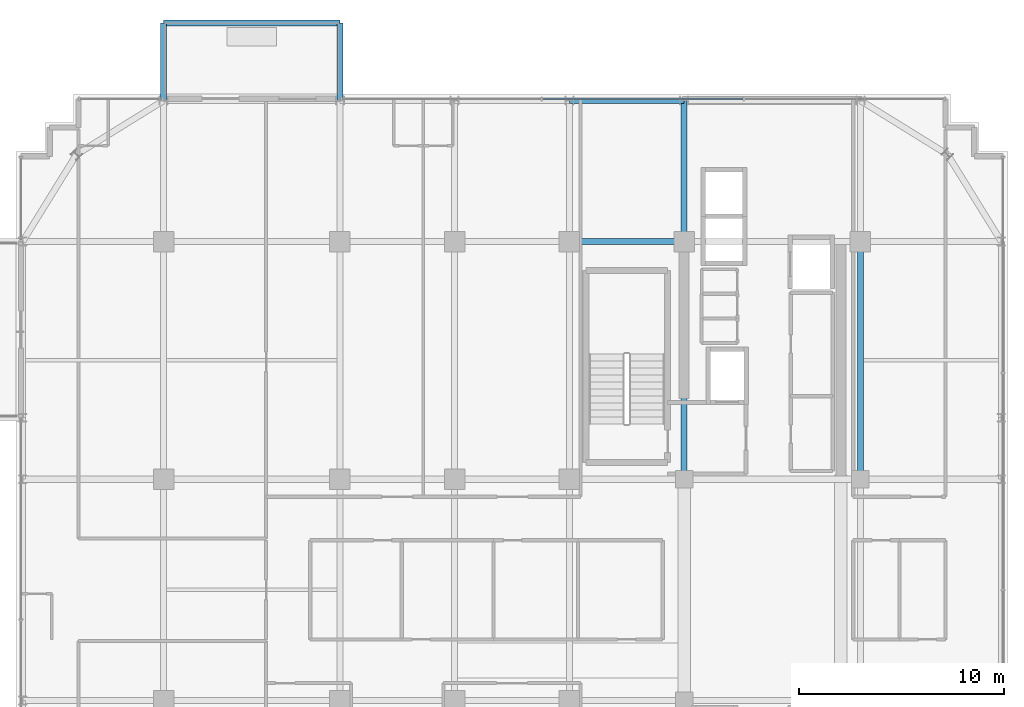
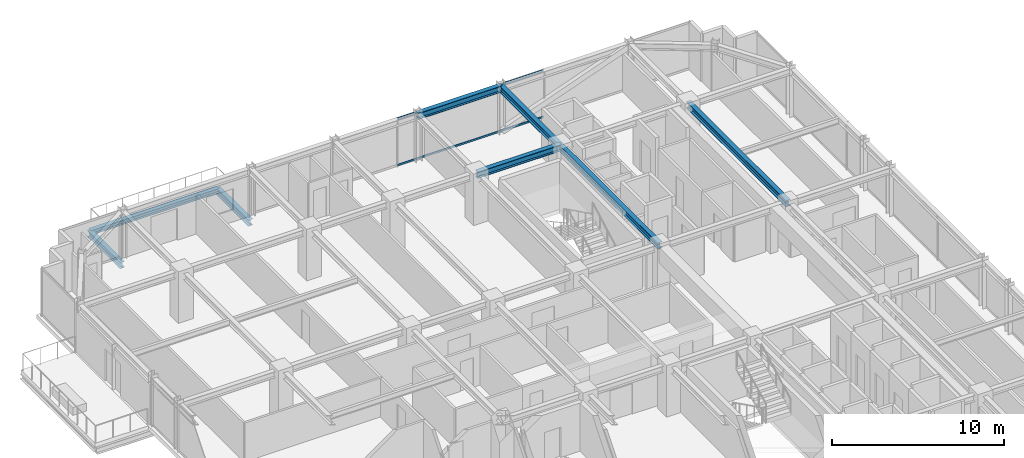
# One storey, part 24 of 36: 8 beams, 2 members, 1 element without a shape of its own.
"""IFC4 building model written with IfcOpenShell, lengths in metres."""

from ifc_helpers import new_model, si_unit, direction, frame, origin, origin_2d, place, context, subcontext, project, spatial, hollow_rectangle, i_section, extrude, source, transform, mapped, material, material_profile, profile_set, type_object, element, aggregate, save


model = new_model("IFC4")

# Units and contexts
model_context = context("Model", 3, precision=1e-05, world=origin(), true_north=direction((0.0, 1.0)))
body_context = subcontext(model_context, "Body", "Model", "MODEL_VIEW")
ifc_project = project(units=[si_unit("LENGTHUNIT", "METRE"), si_unit("AREAUNIT", "SQUARE_METRE"), si_unit("VOLUMEUNIT", "CUBIC_METRE"), si_unit("PLANEANGLEUNIT", "RADIAN"), si_unit("MASSUNIT", "GRAM", prefix="KILO")], contexts=[model_context])

# Site, building, storey
site_placement = place(None, origin())
site = spatial("IfcSite", under=ifc_project, at=site_placement, CompositionType="ELEMENT")
building_placement = place(site_placement, origin())
building = spatial("IfcBuilding", under=site, at=building_placement, Name="Nahalor Promenade Grand Hotel", CompositionType="ELEMENT")
storey_placement = place(building_placement, frame((0.0, 0.0, 212.300048828125)))
storey = spatial("IfcBuildingStorey", under=building, at=storey_placement, Name="L54", CompositionType="ELEMENT", Elevation=212.300048828125)

# Beams
ifc_material_1 = material(Name="Steel S355JR", Category="steel")
ifc_material_profile_1 = material_profile(ifc_material_1, i_section(OverallWidth=0.3, OverallDepth=0.32, WebThickness=0.0115, FlangeThickness=0.0205, at=origin_2d()), Name="HEB 320")
ifc_profile_set_1 = profile_set([ifc_material_profile_1], Name="Steel S355JR")
beam_type_1 = type_object("IfcBeamType", Name="Beam-BalcEdge-HEB320", PredefinedType="SPANDREL", material=ifc_profile_set_1)
shared_shape_1 = source(origin(), body_context, "Body", "SweptSolid", [
    extrude(i_section(OverallWidth=0.3, OverallDepth=0.32, WebThickness=0.0115, FlangeThickness=0.0205, at=origin_2d()), origin(), (0.0, 0.0, 1.0), 8.60009765625),
])
beam_1_placement = place(storey_placement, frame((-17.0, 27.659912109375, -0.43994140625), z_axis=(1.0, 0.0, 0.0), x_axis=(0.0, 1.0, 0.0)))
element("IfcBeam", 1, at=beam_1_placement, inside=storey, type_object=beam_type_1, Name="BM-L54-BC-01-F", PredefinedType="SPANDREL", context=body_context, shape_type="MappedRepresentation", body=[
    mapped(shared_shape_1, transform((0.0, 0.0, 0.0), scale=1.0)),
])
ifc_material_profile_2 = material_profile(ifc_material_1, i_section(OverallWidth=0.3, OverallDepth=0.45, WebThickness=0.014, FlangeThickness=0.026, at=origin_2d()), Name="HEB 450")
ifc_profile_set_2 = profile_set([ifc_material_profile_2], Name="Steel S355JR")
beam_type_2 = type_object("IfcBeamType", Name="Beam-Outrigger-HEB450", PredefinedType="BEAM", material=ifc_profile_set_2)
shared_shape_2 = source(origin(), body_context, "Body", "SweptSolid", [
    extrude(i_section(OverallWidth=0.3, OverallDepth=0.45, WebThickness=0.014, FlangeThickness=0.026, at=origin_2d()), origin(), (0.0, 0.0, 1.0), 3.780029296875),
])
for number, where, z_axis, x_axis, name in (
    (2, (-17.0, 23.8798828125, -0.505126953125), (0.0, 1.0, 0.0), (-1.0, 0.0, 0.0), "BM-L54-BC-01-1"),
    (3, (-8.39990234375, 23.8798828125, -0.505126953125), (0.0, 1.0, 0.0), (-1.0, 0.0, 0.0), "BM-L54-BC-01-2"),
):
    element("IfcBeam", number, at=place(storey_placement, frame(where, z_axis=z_axis, x_axis=x_axis)), inside=storey, type_object=beam_type_2, Name=name, PredefinedType="BEAM", context=body_context, shape_type="MappedRepresentation", body=[
        mapped(shared_shape_2, transform((0.0, 0.0, 0.0), scale=1.0)),
    ])
ifc_material_profile_3 = material_profile(ifc_material_1, i_section(OverallWidth=0.3, OverallDepth=0.45, WebThickness=0.014, FlangeThickness=0.026, at=origin_2d()), Name="HEB 450")
ifc_profile_set_3 = profile_set([ifc_material_profile_3], Name="Steel S355JR")
beam_type_3 = type_object("IfcBeamType", Name="Beam-Spandrel-HEB450", PredefinedType="SPANDREL", material=ifc_profile_set_3)
shared_shape_3 = source(origin(), body_context, "Body", "SweptSolid", [
    extrude(i_section(OverallWidth=0.3, OverallDepth=0.45, WebThickness=0.014, FlangeThickness=0.026, at=origin_2d()), origin(), (0.0, 0.0, 1.0), 5.599853515625),
])
beam_2_placement = place(storey_placement, frame((2.800048828125, 23.8798828125, 3.18505859375), z_axis=(1.0, 0.0, 0.0), x_axis=(0.0, 1.0, 0.0)))
element("IfcBeam", 4, at=beam_2_placement, inside=storey, type_object=beam_type_3, Name="BM-L54-SP-N-3", PredefinedType="SPANDREL", context=body_context, shape_type="MappedRepresentation", body=[
    mapped(shared_shape_3, transform((0.0, 0.0, 0.0), scale=1.0)),
])
ifc_material_profile_4 = material_profile(ifc_material_1, i_section(OverallWidth=0.3, OverallDepth=0.45, WebThickness=0.014, FlangeThickness=0.026, at=origin_2d()), Name="HEB 450")
ifc_profile_set_4 = profile_set([ifc_material_profile_4], Name="Steel S355JR")
beam_type_4 = type_object("IfcBeamType", Name="Beam-Girder-HEB450", PredefinedType="BEAM", material=ifc_profile_set_4)
shared_shape_4 = source(origin(), body_context, "Body", "SweptSolid", [
    extrude(i_section(OverallWidth=0.3, OverallDepth=0.45, WebThickness=0.014, FlangeThickness=0.026, at=origin_2d()), origin(), (0.0, 0.0, 1.0), 6.8798828125),
])
beam_3_placement = place(storey_placement, frame((8.39990234375, 17.0, 3.18505859375), z_axis=(0.0, 1.0, 0.0), x_axis=(-1.0, 0.0, 0.0)))
element("IfcBeam", 5, at=beam_3_placement, inside=storey, type_object=beam_type_4, Name="BM-L54-GY-4-4", PredefinedType="BEAM", context=body_context, shape_type="MappedRepresentation", body=[
    mapped(shared_shape_4, transform((0.0, 0.0, 0.0), scale=1.0)),
])
shared_shape_5 = source(origin(), body_context, "Body", "SweptSolid", [
    extrude(i_section(OverallWidth=0.3, OverallDepth=0.45, WebThickness=0.014, FlangeThickness=0.026, at=origin_2d()), origin(), (0.0, 0.0, 1.0), 5.599853515625),
])
beam_4_placement = place(storey_placement, frame((2.800048828125, 17.0, 3.18505859375), z_axis=(1.0, 0.0, 0.0), x_axis=(0.0, 1.0, 0.0)))
element("IfcBeam", 6, at=beam_4_placement, inside=storey, type_object=beam_type_4, Name="BM-L54-GX-3-4", PredefinedType="BEAM", context=body_context, shape_type="MappedRepresentation", body=[
    mapped(shared_shape_5, transform((0.0, 0.0, 0.0), scale=1.0)),
])
shared_shape_6 = source(origin(), body_context, "Body", "SweptSolid", [
    extrude(i_section(OverallWidth=0.3, OverallDepth=0.45, WebThickness=0.014, FlangeThickness=0.026, at=origin_2d()), origin(), (0.0, 0.0, 1.0), 11.60009765625),
])
for number, where, z_axis, x_axis, name in (
    (7, (8.39990234375, 5.39990234375, 3.18505859375), (0.0, 1.0, 0.0), (-1.0, 0.0, 0.0), "BM-L54-GY-4-3"),
    (8, (17.0, 5.39990234375, 3.18505859375), (0.0, 1.0, 0.0), (-1.0, 0.0, 0.0), "BM-L54-GY-5-3"),
):
    element("IfcBeam", number, at=place(storey_placement, frame(where, z_axis=z_axis, x_axis=x_axis)), inside=storey, type_object=beam_type_4, Name=name, PredefinedType="BEAM", context=body_context, shape_type="MappedRepresentation", body=[
        mapped(shared_shape_6, transform((0.0, 0.0, 0.0), scale=1.0)),
    ])

# Curtain wall, members
ifc_material_2 = material(Name="Anodised Bronze Aluminium EN AW-6063 T6", Category="aluminium")
curtain_wall_type = type_object("IfcCurtainWallType", Name="CW2 Typical Hotel Flush Bronze Unitised Curtain Wall", PredefinedType="USERDEFINED", material=ifc_material_2)
curtain_wall_placement = place(storey_placement, origin())
curtain_wall = element("IfcCurtainWall", 9, at=curtain_wall_placement, inside=storey, type_object=curtain_wall_type, Name="L54 Curtain Wall CW-L54-N-3", ObjectType="UNITISED_CURTAIN_WALL", PredefinedType="USERDEFINED")
ifc_material_profile_5 = material_profile(ifc_material_2, hollow_rectangle(XDim=0.065, YDim=0.13, WallThickness=0.004, at=origin_2d()), Name="CWT 65x130x4")
ifc_profile_set_5 = profile_set([ifc_material_profile_5], Name="Anodised Bronze Aluminium EN AW-6063 T6")
member_type = type_object("IfcMemberType", Name="CWT2 Typical Bronze Transom 65x130", PredefinedType="USERDEFINED", material=ifc_profile_set_5)
shared_shape_7 = source(origin(), body_context, "Body", "SweptSolid", [
    extrude(hollow_rectangle(XDim=0.065, YDim=0.13, WallThickness=0.004, at=origin_2d()), origin(), (0.0, 0.0, 1.0), 9.788330078125),
])
member_1_placement = place(storey_placement, frame((1.48583984375, 23.9599609375, 0.06494140625), z_axis=(1.0, 0.0, 0.0), x_axis=(0.0, 1.0, 0.0)))
member_1 = element("IfcMember", 10, at=member_1_placement, type_object=member_type, Name="CW-L54-N-3 Transom 1-0", ObjectType="TRANSOM", PredefinedType="USERDEFINED", context=body_context, shape_type="MappedRepresentation", body=[
    mapped(shared_shape_7, transform((0.0, 0.0, 0.0), scale=1.0)),
])
member_2_placement = place(storey_placement, frame((1.48583984375, 23.9599609375, 3.344970703125), z_axis=(1.0, 0.0, 0.0), x_axis=(0.0, 1.0, 0.0)))
member_2 = element("IfcMember", 11, at=member_2_placement, type_object=member_type, Name="CW-L54-N-3 Transom 1-1", ObjectType="TRANSOM", PredefinedType="USERDEFINED", context=body_context, shape_type="MappedRepresentation", body=[
    mapped(shared_shape_7, transform((0.0, 0.0, 0.0), scale=1.0)),
])
aggregate(curtain_wall, [member_1, member_2])

save(model, "model.ifc")
